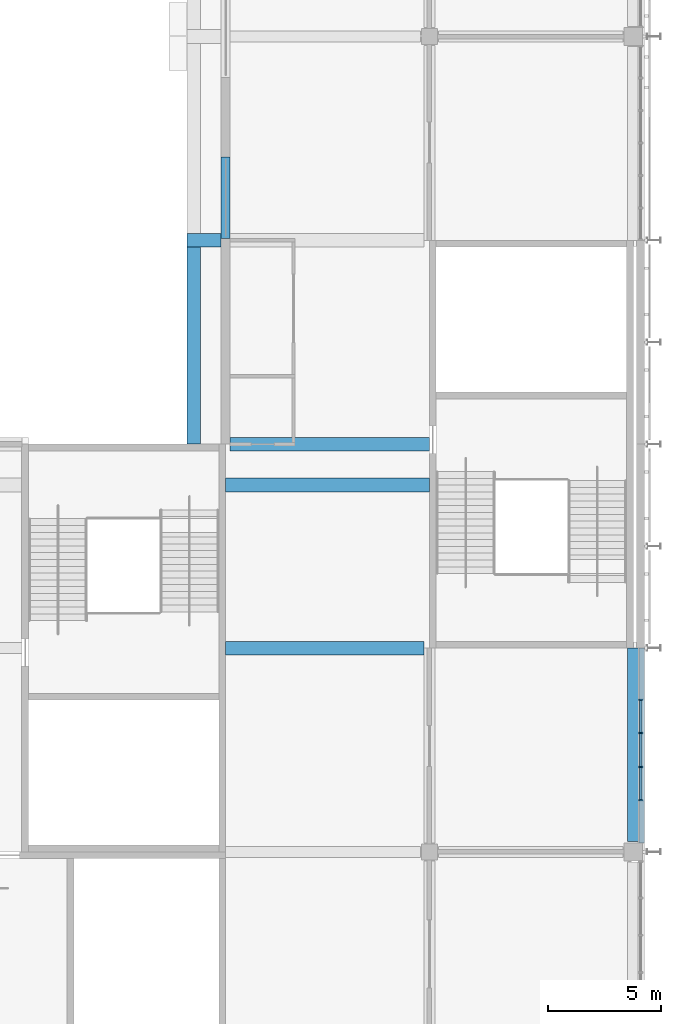
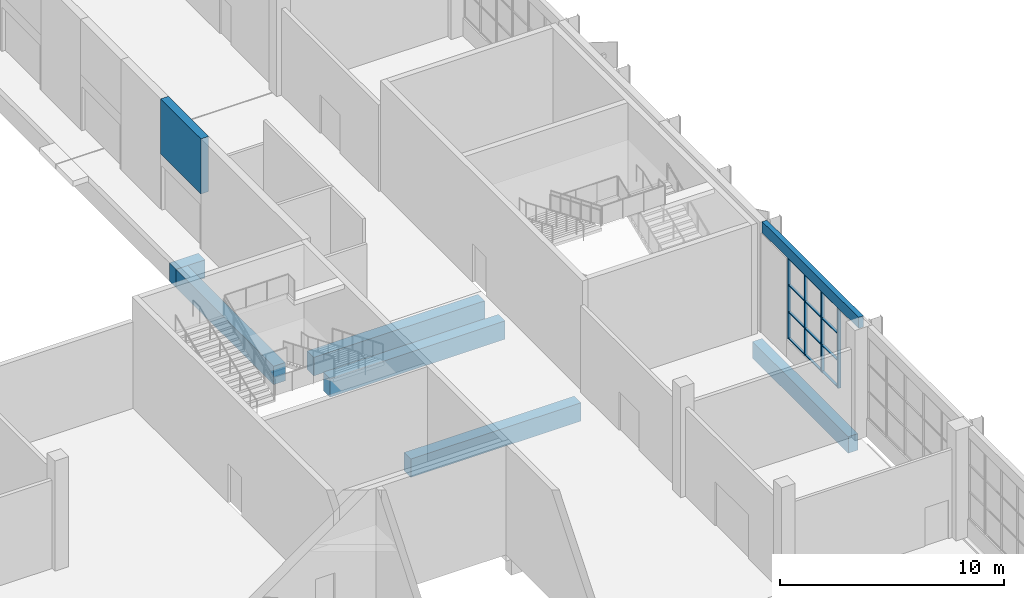
# One storey, part 20 of 89: 16 members, 8 beams, 1 element without a shape of its own.
"""IFC4 building model written with IfcOpenShell, lengths in metres."""

from ifc_helpers import new_model, si_unit, direction, frame, origin, origin_2d, place, context, subcontext, project, spatial, rectangle, extrude, material, material_profile, profile_set, type_object, element, aggregate, save


model = new_model("IFC4")

# Units and contexts
model_context = context("Model", 3, precision=1e-05, world=origin(), true_north=direction((0.0, 1.0)))
body_context = subcontext(model_context, "Body", "Model", "MODEL_VIEW")
ifc_project = project(units=[si_unit("LENGTHUNIT", "METRE"), si_unit("AREAUNIT", "SQUARE_METRE"), si_unit("VOLUMEUNIT", "CUBIC_METRE"), si_unit("PLANEANGLEUNIT", "RADIAN"), si_unit("MASSUNIT", "GRAM", prefix="KILO")], contexts=[model_context])

# Site, building, storey
site_placement = place(None, origin())
site = spatial("IfcSite", under=ifc_project, at=site_placement, CompositionType="ELEMENT")
building_placement = place(site_placement, origin())
building = spatial("IfcBuilding", under=site, at=building_placement, Name="Silverbay Arena", CompositionType="ELEMENT")
storey_placement = place(building_placement, frame((0.0, 0.0, 22.0)))
storey = spatial("IfcBuildingStorey", under=building, at=storey_placement, Name="L03", CompositionType="ELEMENT", Elevation=22.0)

# Curtain wall, members
ifc_material_1 = material(Name="Aluminium framed curtain wall", Category="aluminium")
curtain_wall_type = type_object("IfcCurtainWallType", Name="Curtain wall 4500 x 4400", PredefinedType="NOTDEFINED", material=ifc_material_1)
curtain_wall_placement = place(storey_placement, origin())
curtain_wall = element("IfcCurtainWall", 1, at=curtain_wall_placement, inside=storey, type_object=curtain_wall_type, Name="East curtain wall L03 bay 4", PredefinedType="NOTDEFINED")
ifc_material_2 = material(Name="Aluminium", Category="aluminium")
ifc_material_profile_1 = material_profile(ifc_material_2, rectangle(XDim=0.159912109375, YDim=0.06005859375, at=origin_2d()), Name="Mullion 60 x 160")
ifc_profile_set_1 = profile_set([ifc_material_profile_1], Name="Aluminium")
member_type_1 = type_object("IfcMemberType", Name="Mullion 60 x 160", PredefinedType="MULLION", material=ifc_profile_set_1)
member_1_placement = place(storey_placement, frame((207.330078125, 47.280029296875, 1.0), z_axis=(0.0, 0.0, 1.0), x_axis=(-1.0, 0.0, 0.0)))
member_1 = element("IfcMember", 2, at=member_1_placement, type_object=member_type_1, Name="CW14 mullion 1", PredefinedType="MULLION", context=body_context, shape_type="SweptSolid", body=[
    extrude(rectangle(XDim=0.159912109375, YDim=0.06005859375, at=origin_2d()), origin(), (0.0, 0.0, 1.0), 4.39990234375),
])
member_2_placement = place(storey_placement, frame((207.330078125, 48.75, 1.0), z_axis=(0.0, 0.0, 1.0), x_axis=(-1.0, 0.0, 0.0)))
member_2 = element("IfcMember", 3, at=member_2_placement, type_object=member_type_1, Name="CW14 mullion 2", PredefinedType="MULLION", context=body_context, shape_type="SweptSolid", body=[
    extrude(rectangle(XDim=0.159912109375, YDim=0.06005859375, at=origin_2d()), origin(), (0.0, 0.0, 1.0), 4.39990234375),
])
member_3_placement = place(storey_placement, frame((207.330078125, 50.25, 1.0), z_axis=(0.0, 0.0, 1.0), x_axis=(-1.0, 0.0, 0.0)))
member_3 = element("IfcMember", 4, at=member_3_placement, type_object=member_type_1, Name="CW14 mullion 3", PredefinedType="MULLION", context=body_context, shape_type="SweptSolid", body=[
    extrude(rectangle(XDim=0.159912109375, YDim=0.06005859375, at=origin_2d()), origin(), (0.0, 0.0, 1.0), 4.39990234375),
])
member_4_placement = place(storey_placement, frame((207.330078125, 51.719970703125, 1.0), z_axis=(0.0, 0.0, 1.0), x_axis=(-1.0, 0.0, 0.0)))
member_4 = element("IfcMember", 5, at=member_4_placement, type_object=member_type_1, Name="CW14 mullion 4", PredefinedType="MULLION", context=body_context, shape_type="SweptSolid", body=[
    extrude(rectangle(XDim=0.159912109375, YDim=0.06005859375, at=origin_2d()), origin(), (0.0, 0.0, 1.0), 4.39990234375),
])

# Beams
ifc_material_3 = material(Name="Concrete Grade C45", Category="concrete")
ifc_material_profile_2 = material_profile(ifc_material_3, rectangle(XDim=0.5, YDim=0.89990234375, at=origin_2d()), Name="RC 500x900")
ifc_profile_set_2 = profile_set([ifc_material_profile_2], Name="Concrete Grade C45")
beam_type_1 = type_object("IfcBeamType", Name="RC beam 500x900", PredefinedType="BEAM", material=ifc_profile_set_2)
beam_1_placement = place(storey_placement, frame((207.0, 45.449951171875, -0.800048828125), z_axis=(0.0, 1.0, 0.0), x_axis=(-1.0, 0.0, 0.0)))
element("IfcBeam", 6, at=beam_1_placement, inside=storey, type_object=beam_type_1, Name="Floor beam L03 173", PredefinedType="BEAM", context=body_context, shape_type="SweptSolid", body=[
    extrude(rectangle(XDim=0.5, YDim=0.89990234375, at=origin_2d()), origin(), (0.0, 0.0, 1.0), 8.550048828125),
])
ifc_material_4 = material(Name="Concrete Grade C45", Category="concrete")
ifc_material_profile_3 = material_profile(ifc_material_4, rectangle(XDim=0.60009765625, YDim=1.0, at=origin_2d()), Name="RC 600x1000")
ifc_profile_set_3 = profile_set([ifc_material_profile_3], Name="Concrete Grade C45")
beam_type_2 = type_object("IfcBeamType", Name="RC beam 600x1000", PredefinedType="BEAM", material=ifc_profile_set_3)
beam_2_placement = place(storey_placement, frame((189.0, 54.0, -0.85009765625), z_axis=(1.0, 0.0, 0.0), x_axis=(0.0, 1.0, 0.0)))
element("IfcBeam", 7, at=beam_2_placement, inside=storey, type_object=beam_type_2, Name="Floor beam L03 026", PredefinedType="BEAM", context=body_context, shape_type="SweptSolid", body=[
    extrude(rectangle(XDim=0.60009765625, YDim=1.0, at=origin_2d()), origin(), (0.0, 0.0, 1.0), 8.75),
])
beam_3_placement = place(storey_placement, frame((189.0, 61.199951171875, -0.85009765625), z_axis=(1.0, 0.0, 0.0), x_axis=(0.0, 1.0, 0.0)))
element("IfcBeam", 8, at=beam_3_placement, inside=storey, type_object=beam_type_2, Name="Floor beam L03 030", PredefinedType="BEAM", context=body_context, shape_type="SweptSolid", body=[
    extrude(rectangle(XDim=0.60009765625, YDim=1.0, at=origin_2d()), origin(), (0.0, 0.0, 1.0), 9.0),
])
beam_4_placement = place(storey_placement, frame((189.199951171875, 63.0, -0.85009765625), z_axis=(1.0, 0.0, 0.0), x_axis=(0.0, 1.0, 0.0)))
element("IfcBeam", 9, at=beam_4_placement, inside=storey, type_object=beam_type_2, Name="Floor beam L03 034", PredefinedType="BEAM", context=body_context, shape_type="SweptSolid", body=[
    extrude(rectangle(XDim=0.60009765625, YDim=1.0, at=origin_2d()), origin(), (0.0, 0.0, 1.0), 8.800048828125),
])
beam_5_placement = place(storey_placement, frame((187.300048828125, 72.0, -0.85009765625), z_axis=(1.0, 0.0, 0.0), x_axis=(0.0, 1.0, 0.0)))
element("IfcBeam", 10, at=beam_5_placement, inside=storey, type_object=beam_type_2, Name="Floor beam L03 037", PredefinedType="BEAM", context=body_context, shape_type="SweptSolid", body=[
    extrude(rectangle(XDim=0.60009765625, YDim=1.0, at=origin_2d()), origin(), (0.0, 0.0, 1.0), 1.5),
])
beam_6_placement = place(storey_placement, frame((187.60009765625, 63.0, -0.85009765625), z_axis=(0.0, 1.0, 0.0), x_axis=(-1.0, 0.0, 0.0)))
element("IfcBeam", 11, at=beam_6_placement, inside=storey, type_object=beam_type_2, Name="Floor beam L03 197", PredefinedType="BEAM", context=body_context, shape_type="SweptSolid", body=[
    extrude(rectangle(XDim=0.60009765625, YDim=1.0, at=origin_2d()), origin(), (0.0, 0.0, 1.0), 8.699951171875),
])
ifc_material_5 = material(Name="Concrete Grade C45", Category="concrete")
ifc_material_profile_4 = material_profile(ifc_material_5, rectangle(XDim=0.25, YDim=0.60009765625, at=origin_2d()), Name="RC 250x600")
ifc_profile_set_4 = profile_set([ifc_material_profile_4], Name="Concrete Grade C45")
beam_type_3 = type_object("IfcBeamType", Name="RC facade beam 250x600", PredefinedType="SPANDREL", material=ifc_profile_set_4)
beam_7_placement = place(storey_placement, frame((207.375, 45.39990234375, 5.699951171875), z_axis=(0.0, 1.0, 0.0), x_axis=(-1.0, 0.0, 0.0)))
element("IfcBeam", 12, at=beam_7_placement, inside=storey, type_object=beam_type_3, Name="Facade beam L03 east", PredefinedType="SPANDREL", context=body_context, shape_type="SweptSolid", body=[
    extrude(rectangle(XDim=0.25, YDim=0.60009765625, at=origin_2d()), origin(), (0.0, 0.0, 1.0), 8.60009765625),
])
ifc_material_6 = material(Name="Concrete Grade C45", Category="concrete")
ifc_material_profile_5 = material_profile(ifc_material_6, rectangle(XDim=0.39990234375, YDim=3.0, at=origin_2d()), Name="RC 400x3000")
ifc_profile_set_5 = profile_set([ifc_material_profile_5], Name="Concrete Grade C45")
beam_type_4 = type_object("IfcBeamType", Name="RC lintel 400x3000", PredefinedType="BEAM", material=ifc_profile_set_5)
beam_8_placement = place(storey_placement, frame((189.0, 72.074951171875, 4.5), z_axis=(0.0, 1.0, 0.0), x_axis=(-1.0, 0.0, 0.0)))
element("IfcBeam", 13, at=beam_8_placement, inside=storey, type_object=beam_type_4, Name="Lintel over portal L03-E739", PredefinedType="BEAM", context=body_context, shape_type="SweptSolid", body=[
    extrude(rectangle(XDim=0.39990234375, YDim=3.0, at=origin_2d()), origin(), (0.0, 0.0, 1.0), 3.60009765625),
])

# Member
ifc_material_7 = material(Name="Aluminium", Category="aluminium")
ifc_material_profile_6 = material_profile(ifc_material_7, rectangle(XDim=0.1201171875, YDim=0.050048828125, at=origin_2d()), Name="Transom 50 x 120")
ifc_profile_set_6 = profile_set([ifc_material_profile_6], Name="Aluminium")
member_type_2 = type_object("IfcMemberType", Name="Transom 50 x 120", PredefinedType="USERDEFINED", material=ifc_profile_set_6)
member_5_placement = place(storey_placement, frame((207.330078125, 47.31005859375, 1.02490234375), z_axis=(0.0, 1.0, 0.0), x_axis=(-1.0, 0.0, 0.0)))
member_5 = element("IfcMember", 14, at=member_5_placement, type_object=member_type_2, Name="CW14 transom 1.1", ObjectType="TRANSOM", PredefinedType="USERDEFINED", context=body_context, shape_type="SweptSolid", body=[
    extrude(rectangle(XDim=0.1201171875, YDim=0.050048828125, at=origin_2d()), origin(), (0.0, 0.0, 1.0), 1.409912109375),
])

member_6_placement = place(storey_placement, frame((207.330078125, 47.31005859375, 2.466552734375), z_axis=(0.0, 1.0, 0.0), x_axis=(-1.0, 0.0, 0.0)))
member_6 = element("IfcMember", 15, at=member_6_placement, type_object=member_type_2, Name="CW14 transom 1.2", ObjectType="TRANSOM", PredefinedType="USERDEFINED", context=body_context, shape_type="SweptSolid", body=[
    extrude(rectangle(XDim=0.1201171875, YDim=0.050048828125, at=origin_2d()), origin(), (0.0, 0.0, 1.0), 1.409912109375),
])

member_7_placement = place(storey_placement, frame((207.330078125, 47.31005859375, 3.933349609375), z_axis=(0.0, 1.0, 0.0), x_axis=(-1.0, 0.0, 0.0)))
member_7 = element("IfcMember", 16, at=member_7_placement, type_object=member_type_2, Name="CW14 transom 1.3", ObjectType="TRANSOM", PredefinedType="USERDEFINED", context=body_context, shape_type="SweptSolid", body=[
    extrude(rectangle(XDim=0.1201171875, YDim=0.050048828125, at=origin_2d()), origin(), (0.0, 0.0, 1.0), 1.409912109375),
])

member_8_placement = place(storey_placement, frame((207.330078125, 47.31005859375, 5.375), z_axis=(0.0, 1.0, 0.0), x_axis=(-1.0, 0.0, 0.0)))
member_8 = element("IfcMember", 17, at=member_8_placement, type_object=member_type_2, Name="CW14 transom 1.4", ObjectType="TRANSOM", PredefinedType="USERDEFINED", context=body_context, shape_type="SweptSolid", body=[
    extrude(rectangle(XDim=0.1201171875, YDim=0.050048828125, at=origin_2d()), origin(), (0.0, 0.0, 1.0), 1.409912109375),
])

member_9_placement = place(storey_placement, frame((207.330078125, 48.780029296875, 1.02490234375), z_axis=(0.0, 1.0, 0.0), x_axis=(-1.0, 0.0, 0.0)))
member_9 = element("IfcMember", 18, at=member_9_placement, type_object=member_type_2, Name="CW14 transom 2.1", ObjectType="TRANSOM", PredefinedType="USERDEFINED", context=body_context, shape_type="SweptSolid", body=[
    extrude(rectangle(XDim=0.1201171875, YDim=0.050048828125, at=origin_2d()), origin(), (0.0, 0.0, 1.0), 1.43994140625),
])

member_10_placement = place(storey_placement, frame((207.330078125, 48.780029296875, 2.466552734375), z_axis=(0.0, 1.0, 0.0), x_axis=(-1.0, 0.0, 0.0)))
member_10 = element("IfcMember", 19, at=member_10_placement, type_object=member_type_2, Name="CW14 transom 2.2", ObjectType="TRANSOM", PredefinedType="USERDEFINED", context=body_context, shape_type="SweptSolid", body=[
    extrude(rectangle(XDim=0.1201171875, YDim=0.050048828125, at=origin_2d()), origin(), (0.0, 0.0, 1.0), 1.43994140625),
])

member_11_placement = place(storey_placement, frame((207.330078125, 48.780029296875, 3.933349609375), z_axis=(0.0, 1.0, 0.0), x_axis=(-1.0, 0.0, 0.0)))
member_11 = element("IfcMember", 20, at=member_11_placement, type_object=member_type_2, Name="CW14 transom 2.3", ObjectType="TRANSOM", PredefinedType="USERDEFINED", context=body_context, shape_type="SweptSolid", body=[
    extrude(rectangle(XDim=0.1201171875, YDim=0.050048828125, at=origin_2d()), origin(), (0.0, 0.0, 1.0), 1.43994140625),
])

member_12_placement = place(storey_placement, frame((207.330078125, 48.780029296875, 5.375), z_axis=(0.0, 1.0, 0.0), x_axis=(-1.0, 0.0, 0.0)))
member_12 = element("IfcMember", 21, at=member_12_placement, type_object=member_type_2, Name="CW14 transom 2.4", ObjectType="TRANSOM", PredefinedType="USERDEFINED", context=body_context, shape_type="SweptSolid", body=[
    extrude(rectangle(XDim=0.1201171875, YDim=0.050048828125, at=origin_2d()), origin(), (0.0, 0.0, 1.0), 1.43994140625),
])

member_13_placement = place(storey_placement, frame((207.330078125, 50.280029296875, 1.02490234375), z_axis=(0.0, 1.0, 0.0), x_axis=(-1.0, 0.0, 0.0)))
member_13 = element("IfcMember", 22, at=member_13_placement, type_object=member_type_2, Name="CW14 transom 3.1", ObjectType="TRANSOM", PredefinedType="USERDEFINED", context=body_context, shape_type="SweptSolid", body=[
    extrude(rectangle(XDim=0.1201171875, YDim=0.050048828125, at=origin_2d()), origin(), (0.0, 0.0, 1.0), 1.409912109375),
])

member_14_placement = place(storey_placement, frame((207.330078125, 50.280029296875, 2.466552734375), z_axis=(0.0, 1.0, 0.0), x_axis=(-1.0, 0.0, 0.0)))
member_14 = element("IfcMember", 23, at=member_14_placement, type_object=member_type_2, Name="CW14 transom 3.2", ObjectType="TRANSOM", PredefinedType="USERDEFINED", context=body_context, shape_type="SweptSolid", body=[
    extrude(rectangle(XDim=0.1201171875, YDim=0.050048828125, at=origin_2d()), origin(), (0.0, 0.0, 1.0), 1.409912109375),
])

member_15_placement = place(storey_placement, frame((207.330078125, 50.280029296875, 3.933349609375), z_axis=(0.0, 1.0, 0.0), x_axis=(-1.0, 0.0, 0.0)))
member_15 = element("IfcMember", 24, at=member_15_placement, type_object=member_type_2, Name="CW14 transom 3.3", ObjectType="TRANSOM", PredefinedType="USERDEFINED", context=body_context, shape_type="SweptSolid", body=[
    extrude(rectangle(XDim=0.1201171875, YDim=0.050048828125, at=origin_2d()), origin(), (0.0, 0.0, 1.0), 1.409912109375),
])

member_16_placement = place(storey_placement, frame((207.330078125, 50.280029296875, 5.375), z_axis=(0.0, 1.0, 0.0), x_axis=(-1.0, 0.0, 0.0)))
member_16 = element("IfcMember", 25, at=member_16_placement, type_object=member_type_2, Name="CW14 transom 3.4", ObjectType="TRANSOM", PredefinedType="USERDEFINED", context=body_context, shape_type="SweptSolid", body=[
    extrude(rectangle(XDim=0.1201171875, YDim=0.050048828125, at=origin_2d()), origin(), (0.0, 0.0, 1.0), 1.409912109375),
])

aggregate(curtain_wall, [member_1, member_2, member_3, member_4, member_5, member_6, member_7, member_8, member_9, member_10, member_11, member_12, member_13, member_14, member_15, member_16])

save(model, "model.ifc")
